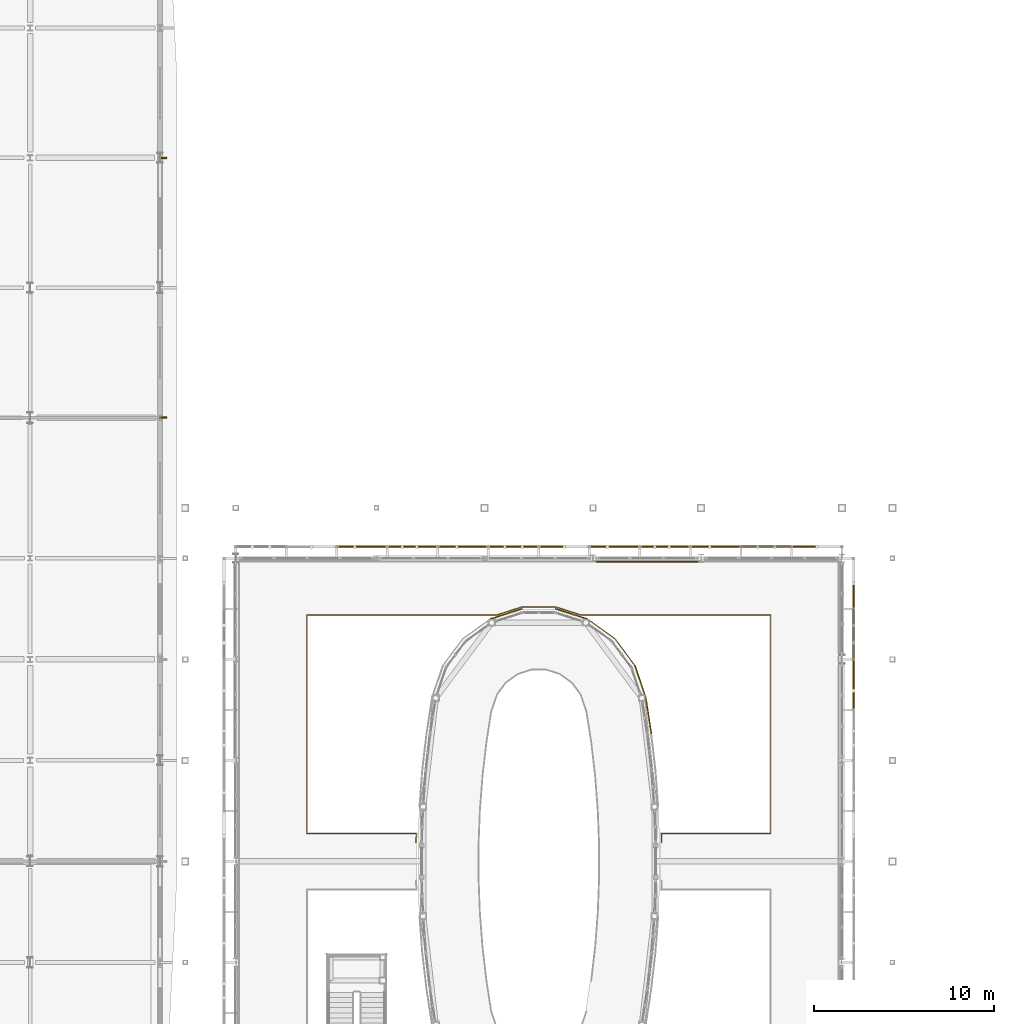
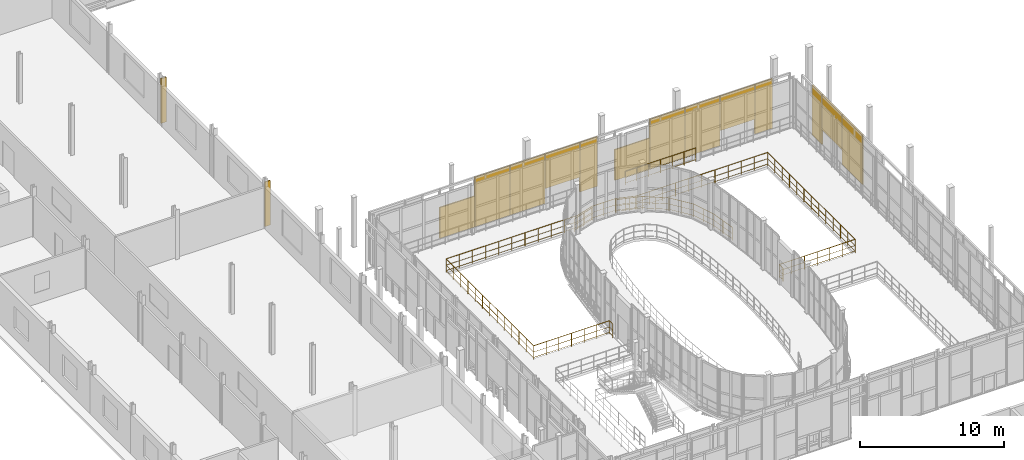
# One storey, part 135 of 138: 15 shading devices, 8 railings.
"""IFC4 building model written with IfcOpenShell, lengths in metres."""

from ifc_helpers import new_model, si_unit, direction, frame, origin, origin_2d, place, context, subcontext, project, spatial, rectangle, circle, extrude, material, type_object, element, save


model = new_model("IFC4")

# Units and contexts
model_context = context("Model", 3, precision=1e-05, world=origin(), true_north=direction((0.0, 1.0)))
body_context = subcontext(model_context, "Body", "Model", "MODEL_VIEW")
ifc_project = project(units=[si_unit("LENGTHUNIT", "METRE"), si_unit("AREAUNIT", "SQUARE_METRE"), si_unit("VOLUMEUNIT", "CUBIC_METRE"), si_unit("PLANEANGLEUNIT", "RADIAN"), si_unit("MASSUNIT", "GRAM", prefix="KILO")], contexts=[model_context])

# Site, building, storey
site_placement = place(None, origin())
site = spatial("IfcSite", under=ifc_project, at=site_placement, CompositionType="ELEMENT")
building_placement = place(site_placement, origin())
building = spatial("IfcBuilding", under=site, at=building_placement, Name="Vinh Khe Railworks Police Headquarters", CompositionType="ELEMENT")
storey_placement = place(building_placement, frame((0.0, 0.0, 9.0)))
storey = spatial("IfcBuildingStorey", under=building, at=storey_placement, Name="L02", CompositionType="ELEMENT", Elevation=9.0)

# Railings
ifc_material_1 = material(Name="Dark steel and laminated safety glass", Category="steel")
railing_type_1 = type_object("IfcRailingType", Name="RL-ATRIUM-1150", PredefinedType="BALUSTRADE", material=ifc_material_1)
railing_1_placement = place(storey_placement, frame((36.39111328125, 43.050048828125, 0.0)))
element("IfcRailing", 1, at=railing_1_placement, inside=storey, type_object=railing_type_1, Name="Atrium Balustrade GR-V1HOLE-L02-1-03", PredefinedType="BALUSTRADE", context=body_context, shape_type="SweptSolid", body=[
    extrude(circle(Radius=0.02392578125, at=origin_2d()), frame((0.0, 0.0, 1.1259765625), z_axis=(0.038337515315, 0.999264847235, 0.0), x_axis=(-0.999264847235, 0.038337515315, 0.0)), (0.0, 0.0, 1.0), 0.490234375),
    extrude(circle(Radius=0.01416015625, at=origin_2d()), frame((0.0, 0.0, 0.137939453125), z_axis=(0.038337515315, 0.999264847235, 0.0), x_axis=(-0.999264847235, 0.038337515315, 0.0)), (0.0, 0.0, 1.0), 0.490234375),
    extrude(circle(Radius=0.01416015625, at=origin_2d()), frame((0.0, 0.0, 0.597900390625), z_axis=(0.038337515315, 0.999264847235, 0.0), x_axis=(-0.999264847235, 0.038337515315, 0.0)), (0.0, 0.0, 1.0), 0.490234375),
    extrude(circle(Radius=0.02392578125, at=origin_2d()), frame((0.018798828125, 0.489990234375, 1.1259765625), z_axis=(-1.0, 0.0, 0.0), x_axis=(0.0, -1.0, 0.0)), (0.0, 0.0, 1.0), 6.06982421875),
    extrude(circle(Radius=0.01416015625, at=origin_2d()), frame((0.018798828125, 0.489990234375, 0.137939453125), z_axis=(-1.0, 0.0, 0.0), x_axis=(0.0, -1.0, 0.0)), (0.0, 0.0, 1.0), 6.06982421875),
    extrude(circle(Radius=0.01416015625, at=origin_2d()), frame((0.018798828125, 0.489990234375, 0.597900390625), z_axis=(-1.0, 0.0, 0.0), x_axis=(0.0, -1.0, 0.0)), (0.0, 0.0, 1.0), 6.06982421875),
    extrude(circle(Radius=0.02392578125, at=origin_2d()), frame((-6.051025390625, 0.489990234375, 1.1259765625), z_axis=(0.0, 1.0, 0.0), x_axis=(-1.0, 0.0, 0.0)), (0.0, 0.0, 1.0), 12.119873046875),
    extrude(circle(Radius=0.01416015625, at=origin_2d()), frame((-6.051025390625, 0.489990234375, 0.137939453125), z_axis=(0.0, 1.0, 0.0), x_axis=(-1.0, 0.0, 0.0)), (0.0, 0.0, 1.0), 12.119873046875),
    extrude(circle(Radius=0.01416015625, at=origin_2d()), frame((-6.051025390625, 0.489990234375, 0.597900390625), z_axis=(0.0, 1.0, 0.0), x_axis=(-1.0, 0.0, 0.0)), (0.0, 0.0, 1.0), 12.119873046875),
    extrude(circle(Radius=0.02392578125, at=origin_2d()), frame((-6.051025390625, 12.60986328125, 1.1259765625), z_axis=(1.0, 0.0, 0.0), x_axis=(0.0, 1.0, 0.0)), (0.0, 0.0, 1.0), 10.524169921875),
    extrude(circle(Radius=0.01416015625, at=origin_2d()), frame((-6.051025390625, 12.60986328125, 0.137939453125), z_axis=(1.0, 0.0, 0.0), x_axis=(0.0, 1.0, 0.0)), (0.0, 0.0, 1.0), 10.524169921875),
    extrude(circle(Radius=0.01416015625, at=origin_2d()), frame((-6.051025390625, 12.60986328125, 0.597900390625), z_axis=(1.0, 0.0, 0.0), x_axis=(0.0, 1.0, 0.0)), (0.0, 0.0, 1.0), 10.524169921875),
    extrude(circle(Radius=0.02392578125, at=origin_2d()), frame((4.47314453125, 12.60986328125, 1.1259765625), z_axis=(0.952139965451, 0.305662372875, 0.0), x_axis=(-0.305662372875, 0.952139965451, 0.0)), (0.0, 0.0, 1.0), 1.45849609375),
    extrude(circle(Radius=0.01416015625, at=origin_2d()), frame((4.47314453125, 12.60986328125, 0.137939453125), z_axis=(0.952139965451, 0.305662372875, 0.0), x_axis=(-0.305662372875, 0.952139965451, 0.0)), (0.0, 0.0, 1.0), 1.45849609375),
    extrude(circle(Radius=0.01416015625, at=origin_2d()), frame((4.47314453125, 12.60986328125, 0.597900390625), z_axis=(0.952139965451, 0.305662372875, 0.0), x_axis=(-0.305662372875, 0.952139965451, 0.0)), (0.0, 0.0, 1.0), 1.45849609375),
    extrude(circle(Radius=0.02392578125, at=origin_2d()), frame((5.86181640625, 13.0556640625, 1.1259765625), z_axis=(1.0, 0.0, 0.0), x_axis=(0.0, 1.0, 0.0)), (0.0, 0.0, 1.0), 1.894287109375),
    extrude(circle(Radius=0.01416015625, at=origin_2d()), frame((5.86181640625, 13.0556640625, 0.137939453125), z_axis=(1.0, 0.0, 0.0), x_axis=(0.0, 1.0, 0.0)), (0.0, 0.0, 1.0), 1.894287109375),
    extrude(circle(Radius=0.01416015625, at=origin_2d()), frame((5.86181640625, 13.0556640625, 0.597900390625), z_axis=(1.0, 0.0, 0.0), x_axis=(0.0, 1.0, 0.0)), (0.0, 0.0, 1.0), 1.894287109375),
    extrude(circle(Radius=0.02392578125, at=origin_2d()), frame((7.756103515625, 13.0556640625, 1.1259765625), z_axis=(0.952124322128, -0.305711097627, 0.0), x_axis=(0.305711097627, 0.952124322128, 0.0)), (0.0, 0.0, 1.0), 1.458251953125),
    extrude(circle(Radius=0.01416015625, at=origin_2d()), frame((7.756103515625, 13.0556640625, 0.137939453125), z_axis=(0.952124322128, -0.305711097627, 0.0), x_axis=(0.305711097627, 0.952124322128, 0.0)), (0.0, 0.0, 1.0), 1.458251953125),
    extrude(circle(Radius=0.01416015625, at=origin_2d()), frame((7.756103515625, 13.0556640625, 0.597900390625), z_axis=(0.952124322128, -0.305711097627, 0.0), x_axis=(0.305711097627, 0.952124322128, 0.0)), (0.0, 0.0, 1.0), 1.458251953125),
    extrude(circle(Radius=0.02392578125, at=origin_2d()), frame((9.14453125, 12.60986328125, 1.1259765625), z_axis=(1.0, 0.0, 0.0), x_axis=(0.0, 1.0, 0.0)), (0.0, 0.0, 1.0), 10.5244140625),
    extrude(circle(Radius=0.01416015625, at=origin_2d()), frame((9.14453125, 12.60986328125, 0.137939453125), z_axis=(1.0, 0.0, 0.0), x_axis=(0.0, 1.0, 0.0)), (0.0, 0.0, 1.0), 10.5244140625),
    extrude(circle(Radius=0.01416015625, at=origin_2d()), frame((9.14453125, 12.60986328125, 0.597900390625), z_axis=(1.0, 0.0, 0.0), x_axis=(0.0, 1.0, 0.0)), (0.0, 0.0, 1.0), 10.5244140625),
    extrude(circle(Radius=0.02392578125, at=origin_2d()), frame((19.6689453125, 12.60986328125, 1.1259765625), z_axis=(0.0, -1.0, 0.0), x_axis=(1.0, 0.0, 0.0)), (0.0, 0.0, 1.0), 12.119873046875),
    extrude(circle(Radius=0.01416015625, at=origin_2d()), frame((19.6689453125, 12.60986328125, 0.137939453125), z_axis=(0.0, -1.0, 0.0), x_axis=(1.0, 0.0, 0.0)), (0.0, 0.0, 1.0), 12.119873046875),
    extrude(circle(Radius=0.01416015625, at=origin_2d()), frame((19.6689453125, 12.60986328125, 0.597900390625), z_axis=(0.0, -1.0, 0.0), x_axis=(1.0, 0.0, 0.0)), (0.0, 0.0, 1.0), 12.119873046875),
    extrude(circle(Radius=0.02392578125, at=origin_2d()), frame((19.6689453125, 0.489990234375, 1.1259765625), z_axis=(-1.0, 0.0, 0.0), x_axis=(0.0, -1.0, 0.0)), (0.0, 0.0, 1.0), 6.06982421875),
    extrude(circle(Radius=0.01416015625, at=origin_2d()), frame((19.6689453125, 0.489990234375, 0.137939453125), z_axis=(-1.0, 0.0, 0.0), x_axis=(0.0, -1.0, 0.0)), (0.0, 0.0, 1.0), 6.06982421875),
    extrude(circle(Radius=0.01416015625, at=origin_2d()), frame((19.6689453125, 0.489990234375, 0.597900390625), z_axis=(-1.0, 0.0, 0.0), x_axis=(0.0, -1.0, 0.0)), (0.0, 0.0, 1.0), 6.06982421875),
    extrude(circle(Radius=0.02392578125, at=origin_2d()), frame((13.59912109375, 0.489990234375, 1.1259765625), z_axis=(0.038337515315, -0.999264847235, 0.0), x_axis=(0.999264847235, 0.038337515315, 0.0)), (0.0, 0.0, 1.0), 0.490234375),
    extrude(circle(Radius=0.01416015625, at=origin_2d()), frame((13.59912109375, 0.489990234375, 0.137939453125), z_axis=(0.038337515315, -0.999264847235, 0.0), x_axis=(0.999264847235, 0.038337515315, 0.0)), (0.0, 0.0, 1.0), 0.490234375),
    extrude(circle(Radius=0.01416015625, at=origin_2d()), frame((13.59912109375, 0.489990234375, 0.597900390625), z_axis=(0.038337515315, -0.999264847235, 0.0), x_axis=(0.999264847235, 0.038337515315, 0.0)), (0.0, 0.0, 1.0), 0.490234375),
    extrude(circle(Radius=0.02099609375, at=origin_2d()), origin(), (0.0, 0.0, 1.0), 1.101806640625),
    extrude(circle(Radius=0.02099609375, at=origin_2d()), frame((0.018798828125, 0.489990234375, 0.0)), (0.0, 0.0, 1.0), 1.101806640625),
    extrude(circle(Radius=0.02099609375, at=origin_2d()), frame((-0.992919921875, 0.489990234375, 0.0)), (0.0, 0.0, 1.0), 1.101806640625),
    extrude(circle(Radius=0.02099609375, at=origin_2d()), frame((-2.00439453125, 0.489990234375, 0.0)), (0.0, 0.0, 1.0), 1.101806640625),
    extrude(circle(Radius=0.02099609375, at=origin_2d()), frame((-3.01611328125, 0.489990234375, 0.0)), (0.0, 0.0, 1.0), 1.101806640625),
    extrude(circle(Radius=0.02099609375, at=origin_2d()), frame((-4.02783203125, 0.489990234375, 0.0)), (0.0, 0.0, 1.0), 1.101806640625),
    extrude(circle(Radius=0.02099609375, at=origin_2d()), frame((-5.039306640625, 0.489990234375, 0.0)), (0.0, 0.0, 1.0), 1.101806640625),
    extrude(circle(Radius=0.02099609375, at=origin_2d()), frame((-6.051025390625, 0.489990234375, 0.0)), (0.0, 0.0, 1.0), 1.101806640625),
    extrude(circle(Radius=0.02099609375, at=origin_2d()), frame((-6.051025390625, 1.5, 0.0)), (0.0, 0.0, 1.0), 1.101806640625),
    extrude(circle(Radius=0.02099609375, at=origin_2d()), frame((-6.051025390625, 2.510009765625, 0.0)), (0.0, 0.0, 1.0), 1.101806640625),
    extrude(circle(Radius=0.02099609375, at=origin_2d()), frame((-6.051025390625, 3.52001953125, 0.0)), (0.0, 0.0, 1.0), 1.101806640625),
    extrude(circle(Radius=0.02099609375, at=origin_2d()), frame((-6.051025390625, 4.530029296875, 0.0)), (0.0, 0.0, 1.0), 1.101806640625),
    extrude(circle(Radius=0.02099609375, at=origin_2d()), frame((-6.051025390625, 5.5400390625, 0.0)), (0.0, 0.0, 1.0), 1.101806640625),
    extrude(circle(Radius=0.02099609375, at=origin_2d()), frame((-6.051025390625, 6.5498046875, 0.0)), (0.0, 0.0, 1.0), 1.101806640625),
    extrude(circle(Radius=0.02099609375, at=origin_2d()), frame((-6.051025390625, 7.559814453125, 0.0)), (0.0, 0.0, 1.0), 1.101806640625),
    extrude(circle(Radius=0.02099609375, at=origin_2d()), frame((-6.051025390625, 8.56982421875, 0.0)), (0.0, 0.0, 1.0), 1.101806640625),
    extrude(circle(Radius=0.02099609375, at=origin_2d()), frame((-6.051025390625, 9.579833984375, 0.0)), (0.0, 0.0, 1.0), 1.101806640625),
    extrude(circle(Radius=0.02099609375, at=origin_2d()), frame((-6.051025390625, 10.58984375, 0.0)), (0.0, 0.0, 1.0), 1.101806640625),
    extrude(circle(Radius=0.02099609375, at=origin_2d()), frame((-6.051025390625, 11.599853515625, 0.0)), (0.0, 0.0, 1.0), 1.101806640625),
    extrude(circle(Radius=0.02099609375, at=origin_2d()), frame((-6.051025390625, 12.60986328125, 0.0)), (0.0, 0.0, 1.0), 1.101806640625),
    extrude(circle(Radius=0.02099609375, at=origin_2d()), frame((-4.99853515625, 12.60986328125, 0.0)), (0.0, 0.0, 1.0), 1.101806640625),
    extrude(circle(Radius=0.02099609375, at=origin_2d()), frame((-3.9462890625, 12.60986328125, 0.0)), (0.0, 0.0, 1.0), 1.101806640625),
    extrude(circle(Radius=0.02099609375, at=origin_2d()), frame((-2.893798828125, 12.60986328125, 0.0)), (0.0, 0.0, 1.0), 1.101806640625),
    extrude(circle(Radius=0.02099609375, at=origin_2d()), frame((-1.84130859375, 12.60986328125, 0.0)), (0.0, 0.0, 1.0), 1.101806640625),
    extrude(circle(Radius=0.02099609375, at=origin_2d()), frame((-0.7890625, 12.60986328125, 0.0)), (0.0, 0.0, 1.0), 1.101806640625),
    extrude(circle(Radius=0.02099609375, at=origin_2d()), frame((0.263427734375, 12.60986328125, 0.0)), (0.0, 0.0, 1.0), 1.101806640625),
    extrude(circle(Radius=0.02099609375, at=origin_2d()), frame((1.31591796875, 12.60986328125, 0.0)), (0.0, 0.0, 1.0), 1.101806640625),
    extrude(circle(Radius=0.02099609375, at=origin_2d()), frame((2.368408203125, 12.60986328125, 0.0)), (0.0, 0.0, 1.0), 1.101806640625),
    extrude(circle(Radius=0.02099609375, at=origin_2d()), frame((3.420654296875, 12.60986328125, 0.0)), (0.0, 0.0, 1.0), 1.101806640625),
    extrude(circle(Radius=0.02099609375, at=origin_2d()), frame((4.47314453125, 12.60986328125, 0.0)), (0.0, 0.0, 1.0), 1.101806640625),
    extrude(circle(Radius=0.02099609375, at=origin_2d()), frame((5.16748046875, 12.832763671875, 0.0)), (0.0, 0.0, 1.0), 1.101806640625),
    extrude(circle(Radius=0.02099609375, at=origin_2d()), frame((5.86181640625, 13.0556640625, 0.0)), (0.0, 0.0, 1.0), 1.101806640625),
    extrude(circle(Radius=0.02099609375, at=origin_2d()), frame((6.80908203125, 13.0556640625, 0.0)), (0.0, 0.0, 1.0), 1.101806640625),
    extrude(circle(Radius=0.02099609375, at=origin_2d()), frame((7.756103515625, 13.0556640625, 0.0)), (0.0, 0.0, 1.0), 1.101806640625),
    extrude(circle(Radius=0.02099609375, at=origin_2d()), frame((8.4501953125, 12.832763671875, 0.0)), (0.0, 0.0, 1.0), 1.101806640625),
    extrude(circle(Radius=0.02099609375, at=origin_2d()), frame((9.14453125, 12.60986328125, 0.0)), (0.0, 0.0, 1.0), 1.101806640625),
    extrude(circle(Radius=0.02099609375, at=origin_2d()), frame((10.197021484375, 12.60986328125, 0.0)), (0.0, 0.0, 1.0), 1.101806640625),
    extrude(circle(Radius=0.02099609375, at=origin_2d()), frame((11.24951171875, 12.60986328125, 0.0)), (0.0, 0.0, 1.0), 1.101806640625),
    extrude(circle(Radius=0.02099609375, at=origin_2d()), frame((12.3017578125, 12.60986328125, 0.0)), (0.0, 0.0, 1.0), 1.101806640625),
    extrude(circle(Radius=0.02099609375, at=origin_2d()), frame((13.354248046875, 12.60986328125, 0.0)), (0.0, 0.0, 1.0), 1.101806640625),
    extrude(circle(Radius=0.02099609375, at=origin_2d()), frame((14.40673828125, 12.60986328125, 0.0)), (0.0, 0.0, 1.0), 1.101806640625),
    extrude(circle(Radius=0.02099609375, at=origin_2d()), frame((15.459228515625, 12.60986328125, 0.0)), (0.0, 0.0, 1.0), 1.101806640625),
    extrude(circle(Radius=0.02099609375, at=origin_2d()), frame((16.51171875, 12.60986328125, 0.0)), (0.0, 0.0, 1.0), 1.101806640625),
    extrude(circle(Radius=0.02099609375, at=origin_2d()), frame((17.56396484375, 12.60986328125, 0.0)), (0.0, 0.0, 1.0), 1.101806640625),
    extrude(circle(Radius=0.02099609375, at=origin_2d()), frame((18.616455078125, 12.60986328125, 0.0)), (0.0, 0.0, 1.0), 1.101806640625),
    extrude(circle(Radius=0.02099609375, at=origin_2d()), frame((19.6689453125, 12.60986328125, 0.0)), (0.0, 0.0, 1.0), 1.101806640625),
    extrude(circle(Radius=0.02099609375, at=origin_2d()), frame((19.6689453125, 11.599853515625, 0.0)), (0.0, 0.0, 1.0), 1.101806640625),
    extrude(circle(Radius=0.02099609375, at=origin_2d()), frame((19.6689453125, 10.58984375, 0.0)), (0.0, 0.0, 1.0), 1.101806640625),
    extrude(circle(Radius=0.02099609375, at=origin_2d()), frame((19.6689453125, 9.579833984375, 0.0)), (0.0, 0.0, 1.0), 1.101806640625),
    extrude(circle(Radius=0.02099609375, at=origin_2d()), frame((19.6689453125, 8.56982421875, 0.0)), (0.0, 0.0, 1.0), 1.101806640625),
    extrude(circle(Radius=0.02099609375, at=origin_2d()), frame((19.6689453125, 7.559814453125, 0.0)), (0.0, 0.0, 1.0), 1.101806640625),
    extrude(circle(Radius=0.02099609375, at=origin_2d()), frame((19.6689453125, 6.5498046875, 0.0)), (0.0, 0.0, 1.0), 1.101806640625),
    extrude(circle(Radius=0.02099609375, at=origin_2d()), frame((19.6689453125, 5.5400390625, 0.0)), (0.0, 0.0, 1.0), 1.101806640625),
    extrude(circle(Radius=0.02099609375, at=origin_2d()), frame((19.6689453125, 4.530029296875, 0.0)), (0.0, 0.0, 1.0), 1.101806640625),
    extrude(circle(Radius=0.02099609375, at=origin_2d()), frame((19.6689453125, 3.52001953125, 0.0)), (0.0, 0.0, 1.0), 1.101806640625),
    extrude(circle(Radius=0.02099609375, at=origin_2d()), frame((19.6689453125, 2.510009765625, 0.0)), (0.0, 0.0, 1.0), 1.101806640625),
    extrude(circle(Radius=0.02099609375, at=origin_2d()), frame((19.6689453125, 1.5, 0.0)), (0.0, 0.0, 1.0), 1.101806640625),
    extrude(circle(Radius=0.02099609375, at=origin_2d()), frame((19.6689453125, 0.489990234375, 0.0)), (0.0, 0.0, 1.0), 1.101806640625),
    extrude(circle(Radius=0.02099609375, at=origin_2d()), frame((18.6572265625, 0.489990234375, 0.0)), (0.0, 0.0, 1.0), 1.101806640625),
    extrude(circle(Radius=0.02099609375, at=origin_2d()), frame((17.645751953125, 0.489990234375, 0.0)), (0.0, 0.0, 1.0), 1.101806640625),
    extrude(circle(Radius=0.02099609375, at=origin_2d()), frame((16.634033203125, 0.489990234375, 0.0)), (0.0, 0.0, 1.0), 1.101806640625),
    extrude(circle(Radius=0.02099609375, at=origin_2d()), frame((15.622314453125, 0.489990234375, 0.0)), (0.0, 0.0, 1.0), 1.101806640625),
    extrude(circle(Radius=0.02099609375, at=origin_2d()), frame((14.61083984375, 0.489990234375, 0.0)), (0.0, 0.0, 1.0), 1.101806640625),
    extrude(circle(Radius=0.02099609375, at=origin_2d()), frame((13.59912109375, 0.489990234375, 0.0)), (0.0, 0.0, 1.0), 1.101806640625),
    extrude(circle(Radius=0.02099609375, at=origin_2d()), frame((13.617919921875, 0.0, 0.0)), (0.0, 0.0, 1.0), 1.101806640625),
])
railing_2_placement = place(storey_placement, frame((52.02490234375, 58.6201171875, 0.0)))
element("IfcRailing", 2, at=railing_2_placement, inside=storey, type_object=railing_type_1, Name="Atrium Balustrade GR-V1PERIM-L02-05", PredefinedType="BALUSTRADE", context=body_context, shape_type="SweptSolid", body=[
    extrude(circle(Radius=0.02392578125, at=origin_2d()), frame((0.0, 0.0, 1.1259765625), z_axis=(-1.0, 0.0, 0.0), x_axis=(0.0, -1.0, 0.0)), (0.0, 0.0, 1.0), 5.64990234375),
    extrude(circle(Radius=0.01416015625, at=origin_2d()), frame((0.0, 0.0, 0.137939453125), z_axis=(-1.0, 0.0, 0.0), x_axis=(0.0, -1.0, 0.0)), (0.0, 0.0, 1.0), 5.64990234375),
    extrude(circle(Radius=0.01416015625, at=origin_2d()), frame((0.0, 0.0, 0.597900390625), z_axis=(-1.0, 0.0, 0.0), x_axis=(0.0, -1.0, 0.0)), (0.0, 0.0, 1.0), 5.64990234375),
    extrude(circle(Radius=0.02099609375, at=origin_2d()), origin(), (0.0, 0.0, 1.0), 1.101806640625),
    extrude(circle(Radius=0.02099609375, at=origin_2d()), frame((-0.941650390625, 0.0, 0.0)), (0.0, 0.0, 1.0), 1.101806640625),
    extrude(circle(Radius=0.02099609375, at=origin_2d()), frame((-1.88330078125, 0.0, 0.0)), (0.0, 0.0, 1.0), 1.101806640625),
    extrude(circle(Radius=0.02099609375, at=origin_2d()), frame((-2.824951171875, 0.0, 0.0)), (0.0, 0.0, 1.0), 1.101806640625),
    extrude(circle(Radius=0.02099609375, at=origin_2d()), frame((-3.7666015625, 0.0, 0.0)), (0.0, 0.0, 1.0), 1.101806640625),
    extrude(circle(Radius=0.02099609375, at=origin_2d()), frame((-4.708251953125, 0.0, 0.0)), (0.0, 0.0, 1.0), 1.101806640625),
    extrude(circle(Radius=0.02099609375, at=origin_2d()), frame((-5.64990234375, 0.0, 0.0)), (0.0, 0.0, 1.0), 1.101806640625),
])
ifc_material_2 = material(Name="Painted tubular steel", Category="steel")
railing_type_2 = type_object("IfcRailingType", Name="RL-GUARD-1100", PredefinedType="GUARDRAIL", material=ifc_material_2)
railing_3_placement = place(storey_placement, frame((49.44140625, 49.0869140625, 0.0)))
element("IfcRailing", 3, at=railing_3_placement, inside=storey, type_object=railing_type_2, Name="Slab Corner Notch Guard L02-61", PredefinedType="GUARDRAIL", context=body_context, shape_type="SweptSolid", body=[
    extrude(circle(Radius=0.02392578125, at=origin_2d()), frame((0.0, 0.0, 1.09619140625), z_axis=(-0.153455860094, 0.988155503452, 0.0), x_axis=(-0.988155503452, -0.153455860094, 0.0)), (0.0, 0.0, 1.0), 2.0458984375),
    extrude(circle(Radius=0.01416015625, at=origin_2d()), frame((0.0, 0.0, 0.134521484375), z_axis=(-0.153455860094, 0.988155503452, 0.0), x_axis=(-0.988155503452, -0.153455860094, 0.0)), (0.0, 0.0, 1.0), 2.0458984375),
    extrude(circle(Radius=0.01416015625, at=origin_2d()), frame((0.0, 0.0, 0.58251953125), z_axis=(-0.153455860094, 0.988155503452, 0.0), x_axis=(-0.988155503452, -0.153455860094, 0.0)), (0.0, 0.0, 1.0), 2.0458984375),
    extrude(circle(Radius=0.02099609375, at=origin_2d()), origin(), (0.0, 0.0, 1.0), 1.072021484375),
    extrude(circle(Radius=0.02099609375, at=origin_2d()), frame((-0.156982421875, 1.0107421875, 0.0)), (0.0, 0.0, 1.0), 1.072021484375),
    extrude(circle(Radius=0.02099609375, at=origin_2d()), frame((-0.31396484375, 2.021728515625, 0.0)), (0.0, 0.0, 1.0), 1.072021484375),
])
railing_4_placement = place(storey_placement, frame((49.12744140625, 51.108642578125, 0.0)))
element("IfcRailing", 4, at=railing_4_placement, inside=storey, type_object=railing_type_2, Name="Slab Corner Notch Guard L02-62", PredefinedType="GUARDRAIL", context=body_context, shape_type="SweptSolid", body=[
    extrude(circle(Radius=0.02392578125, at=origin_2d()), frame((0.0, 0.0, 1.09619140625), z_axis=(-0.322681999165, 0.946507436534, 0.0), x_axis=(-0.946507436534, -0.322681999165, 0.0)), (0.0, 0.0, 1.0), 1.84765625),
    extrude(circle(Radius=0.01416015625, at=origin_2d()), frame((0.0, 0.0, 0.134521484375), z_axis=(-0.322681999165, 0.946507436534, 0.0), x_axis=(-0.946507436534, -0.322681999165, 0.0)), (0.0, 0.0, 1.0), 1.84765625),
    extrude(circle(Radius=0.01416015625, at=origin_2d()), frame((0.0, 0.0, 0.58251953125), z_axis=(-0.322681999165, 0.946507436534, 0.0), x_axis=(-0.946507436534, -0.322681999165, 0.0)), (0.0, 0.0, 1.0), 1.84765625),
    extrude(circle(Radius=0.02099609375, at=origin_2d()), origin(), (0.0, 0.0, 1.0), 1.072021484375),
    extrude(circle(Radius=0.02099609375, at=origin_2d()), frame((-0.298095703125, 0.87451171875, 0.0)), (0.0, 0.0, 1.0), 1.072021484375),
    extrude(circle(Radius=0.02099609375, at=origin_2d()), frame((-0.59619140625, 1.748779296875, 0.0)), (0.0, 0.0, 1.0), 1.072021484375),
])
railing_5_placement = place(storey_placement, frame((48.53125, 52.857421875, 0.0)))
element("IfcRailing", 5, at=railing_5_placement, inside=storey, type_object=railing_type_2, Name="Slab Corner Notch Guard L02-63", PredefinedType="GUARDRAIL", context=body_context, shape_type="SweptSolid", body=[
    extrude(circle(Radius=0.02392578125, at=origin_2d()), frame((0.0, 0.0, 1.09619140625), z_axis=(-0.596555612397, 0.802571742162, 0.0), x_axis=(-0.802571742162, -0.596555612397, 0.0)), (0.0, 0.0, 1.0), 1.86279296875),
    extrude(circle(Radius=0.01416015625, at=origin_2d()), frame((0.0, 0.0, 0.134521484375), z_axis=(-0.596555612397, 0.802571742162, 0.0), x_axis=(-0.802571742162, -0.596555612397, 0.0)), (0.0, 0.0, 1.0), 1.86279296875),
    extrude(circle(Radius=0.01416015625, at=origin_2d()), frame((0.0, 0.0, 0.58251953125), z_axis=(-0.596555612397, 0.802571742162, 0.0), x_axis=(-0.802571742162, -0.596555612397, 0.0)), (0.0, 0.0, 1.0), 1.86279296875),
    extrude(circle(Radius=0.02099609375, at=origin_2d()), origin(), (0.0, 0.0, 1.0), 1.072021484375),
    extrude(circle(Radius=0.02099609375, at=origin_2d()), frame((-0.5556640625, 0.74755859375, 0.0)), (0.0, 0.0, 1.0), 1.072021484375),
    extrude(circle(Radius=0.02099609375, at=origin_2d()), frame((-1.111328125, 1.4951171875, 0.0)), (0.0, 0.0, 1.0), 1.072021484375),
])
railing_6_placement = place(storey_placement, frame((47.419921875, 54.3525390625, 0.0)))
element("IfcRailing", 6, at=railing_6_placement, inside=storey, type_object=railing_type_2, Name="Slab Corner Notch Guard L02-64", PredefinedType="GUARDRAIL", context=body_context, shape_type="SweptSolid", body=[
    extrude(circle(Radius=0.02392578125, at=origin_2d()), frame((0.0, 0.0, 1.09619140625), z_axis=(-0.813308151852, 0.581833180672, 0.0), x_axis=(-0.581833180672, -0.813308151852, 0.0)), (0.0, 0.0, 1.0), 1.862548828125),
    extrude(circle(Radius=0.01416015625, at=origin_2d()), frame((0.0, 0.0, 0.134521484375), z_axis=(-0.813308151852, 0.581833180672, 0.0), x_axis=(-0.581833180672, -0.813308151852, 0.0)), (0.0, 0.0, 1.0), 1.862548828125),
    extrude(circle(Radius=0.01416015625, at=origin_2d()), frame((0.0, 0.0, 0.58251953125), z_axis=(-0.813308151852, 0.581833180672, 0.0), x_axis=(-0.581833180672, -0.813308151852, 0.0)), (0.0, 0.0, 1.0), 1.862548828125),
    extrude(circle(Radius=0.02099609375, at=origin_2d()), origin(), (0.0, 0.0, 1.0), 1.072021484375),
    extrude(circle(Radius=0.02099609375, at=origin_2d()), frame((-0.75732421875, 0.5419921875, 0.0)), (0.0, 0.0, 1.0), 1.072021484375),
    extrude(circle(Radius=0.02099609375, at=origin_2d()), frame((-1.514892578125, 1.083740234375, 0.0)), (0.0, 0.0, 1.0), 1.072021484375),
])
railing_7_placement = place(storey_placement, frame((45.905029296875, 55.436279296875, 0.0)))
element("IfcRailing", 7, at=railing_7_placement, inside=storey, type_object=railing_type_2, Name="Slab Corner Notch Guard L02-65", PredefinedType="GUARDRAIL", context=body_context, shape_type="SweptSolid", body=[
    extrude(circle(Radius=0.02392578125, at=origin_2d()), frame((0.0, 0.0, 1.09619140625), z_axis=(-0.952149849354, 0.305631582752, 0.0), x_axis=(-0.305631582752, -0.952149849354, 0.0)), (0.0, 0.0, 1.0), 1.86279296875),
    extrude(circle(Radius=0.01416015625, at=origin_2d()), frame((0.0, 0.0, 0.134521484375), z_axis=(-0.952149849354, 0.305631582752, 0.0), x_axis=(-0.305631582752, -0.952149849354, 0.0)), (0.0, 0.0, 1.0), 1.86279296875),
    extrude(circle(Radius=0.01416015625, at=origin_2d()), frame((0.0, 0.0, 0.58251953125), z_axis=(-0.952149849354, 0.305631582752, 0.0), x_axis=(-0.305631582752, -0.952149849354, 0.0)), (0.0, 0.0, 1.0), 1.86279296875),
    extrude(circle(Radius=0.02099609375, at=origin_2d()), origin(), (0.0, 0.0, 1.0), 1.072021484375),
    extrude(circle(Radius=0.02099609375, at=origin_2d()), frame((-0.88671875, 0.28466796875, 0.0)), (0.0, 0.0, 1.0), 1.072021484375),
    extrude(circle(Radius=0.02099609375, at=origin_2d()), frame((-1.773681640625, 0.5693359375, 0.0)), (0.0, 0.0, 1.0), 1.072021484375),
])
railing_8_placement = place(storey_placement, frame((42.2685546875, 56.005615234375, 0.0)))
element("IfcRailing", 8, at=railing_8_placement, inside=storey, type_object=railing_type_2, Name="Slab Corner Notch Guard L02-66", PredefinedType="GUARDRAIL", context=body_context, shape_type="SweptSolid", body=[
    extrude(circle(Radius=0.02392578125, at=origin_2d()), frame((0.0, 0.0, 1.09619140625), z_axis=(-0.952149849354, -0.305631582752, 0.0), x_axis=(0.305631582752, -0.952149849354, 0.0)), (0.0, 0.0, 1.0), 1.86279296875),
    extrude(circle(Radius=0.01416015625, at=origin_2d()), frame((0.0, 0.0, 0.134521484375), z_axis=(-0.952149849354, -0.305631582752, 0.0), x_axis=(0.305631582752, -0.952149849354, 0.0)), (0.0, 0.0, 1.0), 1.86279296875),
    extrude(circle(Radius=0.01416015625, at=origin_2d()), frame((0.0, 0.0, 0.58251953125), z_axis=(-0.952149849354, -0.305631582752, 0.0), x_axis=(0.305631582752, -0.952149849354, 0.0)), (0.0, 0.0, 1.0), 1.86279296875),
    extrude(circle(Radius=0.02099609375, at=origin_2d()), origin(), (0.0, 0.0, 1.0), 1.072021484375),
    extrude(circle(Radius=0.02099609375, at=origin_2d()), frame((-0.88671875, -0.28466796875, 0.0)), (0.0, 0.0, 1.0), 1.072021484375),
    extrude(circle(Radius=0.02099609375, at=origin_2d()), frame((-1.773681640625, -0.5693359375, 0.0)), (0.0, 0.0, 1.0), 1.072021484375),
])

# Shading devices
ifc_material_3 = material(Name="Salvaged ironwood timber", Category="wood")
shading_device_type_1 = type_object("IfcShadingDeviceType", Name="SHD-MSF-01", PredefinedType="JALOUSIE", material=ifc_material_3)
for number, where, z_axis, x_axis, name in (
    (9, (22.360107421875, 66.60009765625, 0.10009765625), (0.0, 0.0, 1.0), (1.0, 0.0, 0.0), "Monsoon Court Solar Fin V5 L02-4"),
    (10, (22.360107421875, 81.0, 0.10009765625), (0.0, 0.0, 1.0), (1.0, 0.0, 0.0), "Monsoon Court Solar Fin V5 L02-5"),
):
    element("IfcShadingDevice", number, at=place(storey_placement, frame(where, z_axis=z_axis, x_axis=x_axis)), inside=storey, type_object=shading_device_type_1, Name=name, PredefinedType="JALOUSIE", context=body_context, shape_type="SweptSolid", body=[
        extrude(rectangle(XDim=0.419921875, YDim=0.080078125, at=origin_2d()), origin(), (0.0, 0.0, 1.0), 3.780029296875),
    ])
shading_device_type_2 = type_object("IfcShadingDeviceType", Name="SHD-QS-01", PredefinedType="JALOUSIE", material=ifc_material_3)
shading_device_1_placement = place(storey_placement, frame((33.39990234375, 59.449951171875, 0.0), z_axis=(0.0, 0.0, 1.0), x_axis=(1.0, 0.0, 0.0)))
element("IfcShadingDevice", 11, at=shading_device_1_placement, inside=storey, type_object=shading_device_type_2, Name="Salvaged Ironwood Quilt Casement N-3", PredefinedType="JALOUSIE", context=body_context, shape_type="SweptSolid", body=[
    extrude(rectangle(XDim=2.800048828125, YDim=0.090087890625, at=origin_2d()), origin(), (0.0, 0.0, 1.0), 2.60400390625),
])
shading_device_2_placement = place(storey_placement, frame((41.800048828125, 59.449951171875, 1.260009765625), z_axis=(0.0, 0.0, 1.0), x_axis=(1.0, 0.0, 0.0)))
element("IfcShadingDevice", 12, at=shading_device_2_placement, inside=storey, type_object=shading_device_type_2, Name="Salvaged Ironwood Upper Quilt Frame N-6", PredefinedType="JALOUSIE", context=body_context, shape_type="SweptSolid", body=[
    extrude(rectangle(XDim=2.800048828125, YDim=0.090087890625, at=origin_2d()), origin(), (0.0, 0.0, 1.0), 2.93994140625),
])
shading_device_3_placement = place(storey_placement, frame((47.39990234375, 59.449951171875, 0.0), z_axis=(0.0, 0.0, 1.0), x_axis=(1.0, 0.0, 0.0)))
element("IfcShadingDevice", 13, at=shading_device_3_placement, inside=storey, type_object=shading_device_type_2, Name="Salvaged Ironwood Quilt Casement N-8", PredefinedType="JALOUSIE", context=body_context, shape_type="SweptSolid", body=[
    extrude(rectangle(XDim=2.800048828125, YDim=0.090087890625, at=origin_2d()), origin(), (0.0, 0.0, 1.0), 2.60400390625),
])
for number, where, z_axis, x_axis, name in (
    (14, (55.800048828125, 59.449951171875, 1.260009765625), (0.0, 0.0, 1.0), (1.0, 0.0, 0.0), "Salvaged Ironwood Upper Quilt Frame N-11"),
    (15, (60.64990234375, 54.60009765625, 1.260009765625), (0.0, 0.0, 1.0), (0.0, 1.0, 0.0), "Salvaged Ironwood Upper Quilt Frame E-11"),
):
    element("IfcShadingDevice", number, at=place(storey_placement, frame(where, z_axis=z_axis, x_axis=x_axis)), inside=storey, type_object=shading_device_type_2, Name=name, PredefinedType="JALOUSIE", context=body_context, shape_type="SweptSolid", body=[
        extrude(rectangle(XDim=2.800048828125, YDim=0.090087890625, at=origin_2d()), origin(), (0.0, 0.0, 1.0), 2.93994140625),
    ])
shading_device_type_3 = type_object("IfcShadingDeviceType", Name="SHD-QS-02", PredefinedType="JALOUSIE", material=ifc_material_3)
for number, where, z_axis, x_axis, name in (
    (16, (43.89990234375, 59.449951171875, 0.0), (0.0, 0.0, 1.0), (1.0, 0.0, 0.0), "Ironwood Tall Quilt Casement N-7L"),
    (17, (57.89990234375, 59.449951171875, 0.0), (0.0, 0.0, 1.0), (1.0, 0.0, 0.0), "Ironwood Tall Quilt Casement N-12L"),
    (18, (60.64990234375, 56.699951171875, 0.0), (0.0, 0.0, 1.0), (0.0, 1.0, 0.0), "Ironwood Tall Quilt Casement E-12L"),
):
    element("IfcShadingDevice", number, at=place(storey_placement, frame(where, z_axis=z_axis, x_axis=x_axis)), inside=storey, type_object=shading_device_type_3, Name=name, PredefinedType="JALOUSIE", context=body_context, shape_type="SweptSolid", body=[
        extrude(rectangle(XDim=1.39990234375, YDim=0.090087890625, at=origin_2d()), origin(), (0.0, 0.0, 1.0), 4.199951171875),
    ])
ifc_material_4 = material(Name="Weathered architectural steel", Category="steel")
shading_device_type_4 = type_object("IfcShadingDeviceType", Name="SHD-QS-03", PredefinedType="SHUTTER", material=ifc_material_4)
for number, where, z_axis, x_axis, name in (
    (19, (39.0, 59.449951171875, 0.0), (0.0, 0.0, 1.0), (1.0, 0.0, 0.0), "Dark Steel Patchwork Casement Frame N-5"),
    (20, (53.0, 59.449951171875, 0.0), (0.0, 0.0, 1.0), (1.0, 0.0, 0.0), "Dark Steel Patchwork Casement Frame N-10"),
    (21, (60.64990234375, 51.800048828125, 0.0), (0.0, 0.0, 1.0), (0.0, 1.0, 0.0), "Dark Steel Patchwork Casement Frame E-10"),
):
    element("IfcShadingDevice", number, at=place(storey_placement, frame(where, z_axis=z_axis, x_axis=x_axis)), inside=storey, type_object=shading_device_type_4, Name=name, PredefinedType="SHUTTER", context=body_context, shape_type="SweptSolid", body=[
        extrude(rectangle(XDim=2.800048828125, YDim=0.080078125, at=origin_2d()), origin(), (0.0, 0.0, 1.0), 4.199951171875),
    ])
shading_device_type_5 = type_object("IfcShadingDeviceType", Name="SHD-QS-04", PredefinedType="SHUTTER", material=ifc_material_3)
for number, where, z_axis, x_axis, name in (
    (22, (36.199951171875, 59.449951171875, 0.0), (0.0, 0.0, 1.0), (1.0, 0.0, 0.0), "Shuttered Ironwood Casement N-4"),
    (23, (50.199951171875, 59.449951171875, 0.0), (0.0, 0.0, 1.0), (1.0, 0.0, 0.0), "Shuttered Ironwood Casement N-9"),
):
    element("IfcShadingDevice", number, at=place(storey_placement, frame(where, z_axis=z_axis, x_axis=x_axis)), inside=storey, type_object=shading_device_type_5, Name=name, PredefinedType="SHUTTER", context=body_context, shape_type="SweptSolid", body=[
        extrude(rectangle(XDim=2.800048828125, YDim=0.090087890625, at=origin_2d()), origin(), (0.0, 0.0, 1.0), 4.199951171875),
    ])

save(model, "model.ifc")
